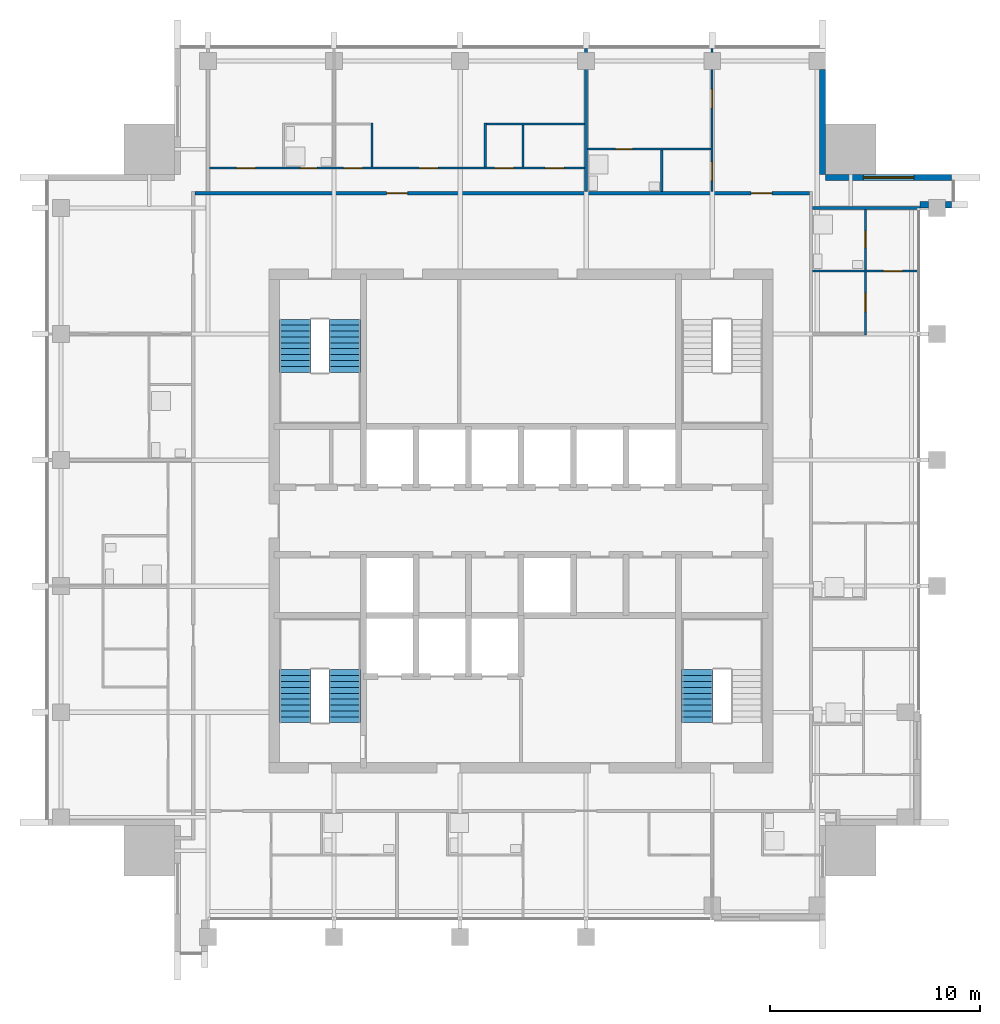
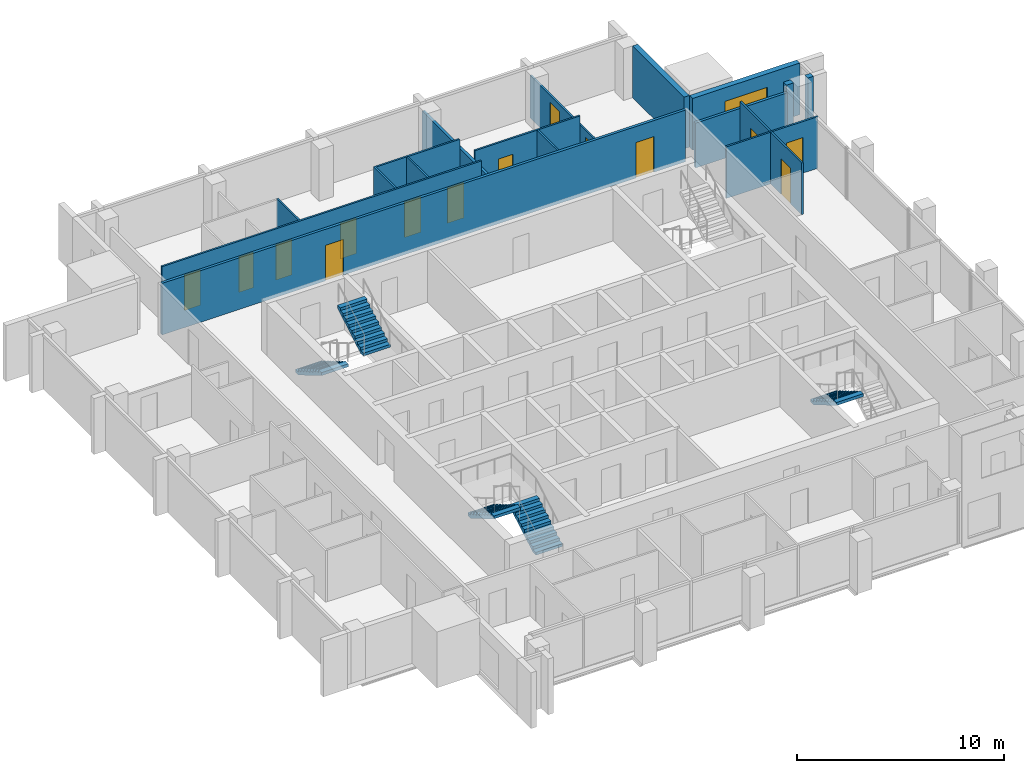
# One storey, part 10 of 13: 17 walls, 14 doors, 5 stair flights, 1 window, 15 openings, 3 elements without a shape of their own.
"""IFC4 building model written with IfcOpenShell, lengths in metres."""

from ifc_helpers import new_model, si_unit, direction, frame, frame_2d, origin, place, context, subcontext, project, spatial, polyline, rectangle, outline, extrude, material, layer, layer_set, type_object, element, fill, aggregate, save


model = new_model("IFC4")

# Units and contexts
model_context = context("Model", 3, precision=1e-05, world=origin(), true_north=direction((0.0, 1.0)))
body_context = subcontext(model_context, "Body", "Model", "MODEL_VIEW")
ifc_project = project(units=[si_unit("LENGTHUNIT", "METRE"), si_unit("AREAUNIT", "SQUARE_METRE"), si_unit("VOLUMEUNIT", "CUBIC_METRE"), si_unit("PLANEANGLEUNIT", "RADIAN"), si_unit("MASSUNIT", "GRAM", prefix="KILO")], contexts=[model_context])

# Site, building, storey
site_placement = place(None, origin())
site = spatial("IfcSite", under=ifc_project, at=site_placement, CompositionType="ELEMENT")
building_placement = place(site_placement, origin())
building = spatial("IfcBuilding", under=site, at=building_placement, Name="Amberfall Residences", CompositionType="ELEMENT")
storey_placement = place(building_placement, frame((0.0, 0.0, 271.89990234375)))
storey = spatial("IfcBuildingStorey", under=building, at=storey_placement, Name="L73", CompositionType="ELEMENT", Elevation=271.89990234375)

# Walls
ifc_material_1 = material(Name="Pale stone cladding on insulated backing", Category="masonry")
ifc_layer_1 = layer(ifc_material_1, 0.300048828125)
ifc_layer_set_1 = layer_set([ifc_layer_1], Name="Bronze clad wall 300")
wall_type_1 = type_object("IfcWallType", Name="Bronze clad wall 300", PredefinedType="SOLIDWALL", material=ifc_layer_set_1)
wall_1_placement = place(storey_placement, frame((93.5, 60.550048828125, 0.0), z_axis=(0.0, 0.0, 1.0), x_axis=(1.0, 0.0, 0.0)))
element("IfcWall", 1, at=wall_1_placement, inside=storey, type_object=wall_type_1, Name="External wall L73 E", PredefinedType="SOLIDWALL", context=body_context, shape_type="SweptSolid", body=[
    extrude(rectangle(XDim=0.39990234375, YDim=0.300048828125, at=frame_2d((0.199951171875, 0.0))), origin(), (0.0, 0.0, 1.0), 3.050048828125),
])
wall_2_placement = place(storey_placement, frame((94.699951171875, 60.550048828125, 0.0), z_axis=(0.0, 0.0, 1.0), x_axis=(1.0, 0.0, 0.0)))
element("IfcWall", 2, at=wall_2_placement, inside=storey, type_object=wall_type_1, Name="External wall L73 E", PredefinedType="SOLIDWALL", context=body_context, shape_type="SweptSolid", body=[
    extrude(rectangle(XDim=0.300048828125, YDim=0.300048828125, at=frame_2d((0.14990234375, 0.0))), origin(), (0.0, 0.0, 1.0), 3.050048828125),
])

# Wall, opening, window
wall_3_placement = place(storey_placement, frame((95.0, 61.85009765625, 0.0), z_axis=(0.0, 0.0, 1.0), x_axis=(-1.0, 0.0, 0.0)))
wall_3 = element("IfcWall", 3, at=wall_3_placement, inside=storey, type_object=wall_type_1, Name="External wall L73 NE", PredefinedType="SOLIDWALL", context=body_context, shape_type="SweptSolid", body=[
    extrude(rectangle(XDim=6.0, YDim=0.300048828125, at=frame_2d((3.0, 0.0))), origin(), (0.0, 0.0, 1.0), 3.050048828125),
])
opening_1_placement = place(wall_3_placement, frame((1.800048828125, 0.0, 0.14990234375)))
opening_1 = element("IfcOpeningElement", 4, at=opening_1_placement, cuts=wall_3, Name="Opening WN5", PredefinedType="OPENING", context=body_context, shape_type="SweptSolid", body=[
    extrude(rectangle(XDim=2.39990234375, YDim=2.10009765625, at=frame_2d((1.199951171875, 1.050048828125))), frame((0.0, 0.159912109375, 0.0), z_axis=(0.0, -1.0, 0.0), x_axis=(1.0, 0.0, 0.0)), (0.0, 0.0, 1.0), 0.320068359375),
])
ifc_material_2 = material(Name="Bronze aluminium framed glazing", Category="aluminium")
window_type = type_object("IfcWindowType", Name="Glazed opening 2400 x 2100 bronze", PartitioningType="DOUBLE_PANEL_VERTICAL", PredefinedType="WINDOW", material=ifc_material_2)
window_placement = place(opening_1_placement, origin())
window = element("IfcWindow", 5, at=window_placement, inside=storey, type_object=window_type, Name="Window L73 NE", OverallHeight=2.10009765625, OverallWidth=2.39990234375, PartitioningType="DOUBLE_PANEL_VERTICAL", PredefinedType="WINDOW", context=body_context, shape_type="SweptSolid", body=[
    extrude(rectangle(XDim=2.39990234375, YDim=2.10009765625, at=frame_2d((1.199951171875, 1.050048828125))), frame((0.0, 0.030029296875, 0.0), z_axis=(0.0, -1.0, 0.0), x_axis=(1.0, 0.0, 0.0)), (0.0, 0.0, 1.0), 0.06005859375),
])
fill(opening_1, window)

# Walls
wall_4_placement = place(storey_placement, frame((88.85009765625, 62.0, 0.0), z_axis=(0.0, 0.0, 1.0), x_axis=(0.0, 1.0, 0.0)))
element("IfcWall", 6, at=wall_4_placement, inside=storey, type_object=wall_type_1, Name="External wall L73 NE", PredefinedType="SOLIDWALL", context=body_context, shape_type="SweptSolid", body=[
    extrude(rectangle(XDim=5.0, YDim=0.300048828125, at=frame_2d((2.5, 0.0))), origin(), (0.0, 0.0, 1.0), 3.050048828125),
])
ifc_material_3 = material(Name="Gypsum board on metal stud")
ifc_layer_2 = layer(ifc_material_3, 0.10009765625)
ifc_layer_set_2 = layer_set([ifc_layer_2], Name="Flat partition 100")
wall_type_2 = type_object("IfcWallType", Name="Flat partition 100", PredefinedType="PARTITIONING", material=ifc_layer_set_2)
for number, where, z_axis, x_axis, name in (
    (7, (67.39990234375, 62.35009765625, 0.0), (0.0, 0.0, 1.0), (0.0, 1.0, 0.0), "Partition 008"),
    (8, (72.800048828125, 62.35009765625, 0.0), (0.0, 0.0, 1.0), (0.0, 1.0, 0.0), "Partition 010"),
):
    element("IfcWall", number, at=place(storey_placement, frame(where, z_axis=z_axis, x_axis=x_axis)), inside=storey, type_object=wall_type_2, Name=name, PredefinedType="PARTITIONING", context=body_context, shape_type="SweptSolid", body=[
        extrude(rectangle(XDim=2.099853515625, YDim=0.10009765625, at=frame_2d((1.0498046875, 0.0))), origin(), (0.0, 0.0, 1.0), 3.050048828125),
    ])
wall_5_placement = place(storey_placement, frame((74.60009765625, 62.35009765625, 0.0), z_axis=(0.0, 0.0, 1.0), x_axis=(0.0, 1.0, 0.0)))
element("IfcWall", 9, at=wall_5_placement, inside=storey, type_object=wall_type_2, Name="Partition 012", PredefinedType="PARTITIONING", context=body_context, shape_type="SweptSolid", body=[
    extrude(rectangle(XDim=2.0, YDim=0.10009765625, at=frame_2d((1.0, 0.0))), origin(), (0.0, 0.0, 1.0), 3.050048828125),
])
wall_6_placement = place(storey_placement, frame((81.199951171875, 61.175048828125, 0.0), z_axis=(0.0, 0.0, 1.0), x_axis=(0.0, 1.0, 0.0)))
element("IfcWall", 10, at=wall_6_placement, inside=storey, type_object=wall_type_2, Name="Partition 014", PredefinedType="PARTITIONING", context=body_context, shape_type="SweptSolid", body=[
    extrude(rectangle(XDim=1.974853515625, YDim=0.10009765625, at=frame_2d((0.9873046875, 0.0))), origin(), (0.0, 0.0, 1.0), 3.050048828125),
])

# Wall, openings, doors
wall_7_placement = place(storey_placement, frame((83.60009765625, 61.175048828125, 0.0), z_axis=(0.0, 0.0, 1.0), x_axis=(0.0, 1.0, 0.0)))
wall_7 = element("IfcWall", 11, at=wall_7_placement, inside=storey, type_object=wall_type_2, Name="Partition 016", PredefinedType="PARTITIONING", context=body_context, shape_type="SweptSolid", body=[
    extrude(rectangle(XDim=6.824951171875, YDim=0.10009765625, at=frame_2d((3.41259765625, 0.0))), origin(), (0.0, 0.0, 1.0), 2.51611328125),
])
opening_2_placement = place(wall_7_placement, frame((0.52490234375, 0.0, 0.0)))
opening_2 = element("IfcOpeningElement", 12, at=opening_2_placement, cuts=wall_7, Name="Opening D41", PredefinedType="OPENING", context=body_context, shape_type="SweptSolid", body=[
    extrude(rectangle(XDim=0.89990234375, YDim=2.10009765625, at=frame_2d((0.449951171875, 1.050048828125))), frame((0.0, 0.06005859375, 0.0), z_axis=(0.0, -1.0, 0.0), x_axis=(1.0, 0.0, 0.0)), (0.0, 0.0, 1.0), 0.1201171875),
])
opening_3_placement = place(wall_7_placement, frame((3.97509765625, 0.0, 0.0)))
opening_3 = element("IfcOpeningElement", 13, at=opening_3_placement, cuts=wall_7, Name="Opening D41", PredefinedType="OPENING", context=body_context, shape_type="SweptSolid", body=[
    extrude(rectangle(XDim=0.89990234375, YDim=2.10009765625, at=frame_2d((0.449951171875, 1.050048828125))), frame((0.0, 0.06005859375, 0.0), z_axis=(0.0, -1.0, 0.0), x_axis=(1.0, 0.0, 0.0)), (0.0, 0.0, 1.0), 0.1201171875),
])
ifc_material_4 = material(Name="Timber", Category="wood")
door_type_1 = type_object("IfcDoorType", Name="Internal door 900 x 2100", OperationType="SINGLE_SWING_LEFT", PredefinedType="DOOR", material=ifc_material_4)
door_1_placement = place(opening_2_placement, origin())
door_1 = element("IfcDoor", 14, at=door_1_placement, inside=storey, type_object=door_type_1, Name="Door 7306 kitchen", OperationType="SINGLE_SWING_LEFT", OverallHeight=2.10009765625, OverallWidth=0.89990234375, PredefinedType="DOOR", context=body_context, shape_type="SweptSolid", body=[
    extrude(rectangle(XDim=0.89990234375, YDim=2.10009765625, at=frame_2d((0.449951171875, 1.050048828125))), frame((0.0, 0.02490234375, 0.0), z_axis=(0.0, -1.0, 0.0), x_axis=(1.0, 0.0, 0.0)), (0.0, 0.0, 1.0), 0.050048828125),
])
fill(opening_2, door_1)
door_2_placement = place(opening_3_placement, origin())
door_2 = element("IfcDoor", 15, at=door_2_placement, inside=storey, type_object=door_type_1, Name="Door 7306 bedroom1", OperationType="SINGLE_SWING_LEFT", OverallHeight=2.10009765625, OverallWidth=0.89990234375, PredefinedType="DOOR", context=body_context, shape_type="SweptSolid", body=[
    extrude(rectangle(XDim=0.89990234375, YDim=2.10009765625, at=frame_2d((0.449951171875, 1.050048828125))), frame((0.0, 0.02490234375, 0.0), z_axis=(0.0, -1.0, 0.0), x_axis=(1.0, 0.0, 0.0)), (0.0, 0.0, 1.0), 0.050048828125),
])
fill(opening_3, door_2)

wall_8_placement = place(storey_placement, frame((90.89990234375, 54.35009765625, 0.0), z_axis=(0.0, 0.0, 1.0), x_axis=(0.0, 1.0, 0.0)))
wall_8 = element("IfcWall", 16, at=wall_8_placement, inside=storey, type_object=wall_type_2, Name="Partition 020", PredefinedType="PARTITIONING", context=body_context, shape_type="SweptSolid", body=[
    extrude(rectangle(XDim=5.974853515625, YDim=0.10009765625, at=frame_2d((2.9873046875, 0.0))), origin(), (0.0, 0.0, 1.0), 3.050048828125),
])
opening_4_placement = place(wall_8_placement, frame((1.10009765625, 0.0, 0.0)))
opening_4 = element("IfcOpeningElement", 17, at=opening_4_placement, cuts=wall_8, Name="Opening D41", PredefinedType="OPENING", context=body_context, shape_type="SweptSolid", body=[
    extrude(rectangle(XDim=0.89990234375, YDim=2.10009765625, at=frame_2d((0.449951171875, 1.050048828125))), frame((0.0, 0.06005859375, 0.0), z_axis=(0.0, -1.0, 0.0), x_axis=(1.0, 0.0, 0.0)), (0.0, 0.0, 1.0), 0.1201171875),
])
opening_5_placement = place(wall_8_placement, frame((4.14990234375, 0.0, 0.0)))
opening_5 = element("IfcOpeningElement", 18, at=opening_5_placement, cuts=wall_8, Name="Opening D42", PredefinedType="OPENING", context=body_context, shape_type="SweptSolid", body=[
    extrude(rectangle(XDim=0.800048828125, YDim=2.10009765625, at=frame_2d((0.39990234375, 1.050048828125))), frame((0.0, 0.06005859375, 0.0), z_axis=(0.0, -1.0, 0.0), x_axis=(1.0, 0.0, 0.0)), (0.0, 0.0, 1.0), 0.1201171875),
])
door_type_2 = type_object("IfcDoorType", Name="Bathroom door 800 x 2100", OperationType="SINGLE_SWING_LEFT", PredefinedType="DOOR", material=ifc_material_4)
door_3_placement = place(opening_5_placement, origin())
door_3 = element("IfcDoor", 19, at=door_3_placement, inside=storey, type_object=door_type_2, Name="Door 7304 bath2", OperationType="SINGLE_SWING_LEFT", OverallHeight=2.10009765625, OverallWidth=0.800048828125, PredefinedType="DOOR", context=body_context, shape_type="SweptSolid", body=[
    extrude(rectangle(XDim=0.800048828125, YDim=2.10009765625, at=frame_2d((0.39990234375, 1.050048828125))), frame((0.0, 0.02490234375, 0.0), z_axis=(0.0, -1.0, 0.0), x_axis=(1.0, 0.0, 0.0)), (0.0, 0.0, 1.0), 0.050048828125),
])
fill(opening_5, door_3)
door_4_placement = place(opening_4_placement, origin())
door_4 = element("IfcDoor", 20, at=door_4_placement, inside=storey, type_object=door_type_1, Name="Door 7304 kitchen", OperationType="SINGLE_SWING_LEFT", OverallHeight=2.10009765625, OverallWidth=0.89990234375, PredefinedType="DOOR", context=body_context, shape_type="SweptSolid", body=[
    extrude(rectangle(XDim=0.89990234375, YDim=2.10009765625, at=frame_2d((0.449951171875, 1.050048828125))), frame((0.0, 0.02490234375, 0.0), z_axis=(0.0, -1.0, 0.0), x_axis=(1.0, 0.0, 0.0)), (0.0, 0.0, 1.0), 0.050048828125),
])
fill(opening_4, door_4)

# Wall
wall_9_placement = place(storey_placement, frame((72.85009765625, 64.39990234375, 0.0), z_axis=(0.0, 0.0, 1.0), x_axis=(1.0, 0.0, 0.0)))
element("IfcWall", 21, at=wall_9_placement, inside=storey, type_object=wall_type_2, Name="Partition 022", PredefinedType="PARTITIONING", context=body_context, shape_type="SweptSolid", body=[
    extrude(rectangle(XDim=4.6748046875, YDim=0.10009765625, at=frame_2d((2.33740234375, 0.0))), origin(), (0.0, 0.0, 1.0), 3.050048828125),
])

# Wall, opening, door
wall_10_placement = place(storey_placement, frame((83.550048828125, 63.199951171875, 0.0), z_axis=(0.0, 0.0, 1.0), x_axis=(-1.0, 0.0, 0.0)))
wall_10 = element("IfcWall", 22, at=wall_10_placement, inside=storey, type_object=wall_type_2, Name="Partition 023", PredefinedType="PARTITIONING", context=body_context, shape_type="SweptSolid", body=[
    extrude(rectangle(XDim=5.875, YDim=0.10009765625, at=frame_2d((2.9375, 0.0))), origin(), (0.0, 0.0, 1.0), 3.050048828125),
])
opening_6_placement = place(wall_10_placement, frame((3.75, 0.0, 0.0)))
opening_6 = element("IfcOpeningElement", 23, at=opening_6_placement, cuts=wall_10, Name="Opening D42", PredefinedType="OPENING", context=body_context, shape_type="SweptSolid", body=[
    extrude(rectangle(XDim=0.800048828125, YDim=2.10009765625, at=frame_2d((0.39990234375, 1.050048828125))), frame((0.0, 0.06005859375, 0.0), z_axis=(0.0, -1.0, 0.0), x_axis=(1.0, 0.0, 0.0)), (0.0, 0.0, 1.0), 0.1201171875),
])
door_5_placement = place(opening_6_placement, origin())
door_5 = element("IfcDoor", 24, at=door_5_placement, inside=storey, type_object=door_type_2, Name="Door 7306 bath1", OperationType="SINGLE_SWING_LEFT", OverallHeight=2.10009765625, OverallWidth=0.800048828125, PredefinedType="DOOR", context=body_context, shape_type="SweptSolid", body=[
    extrude(rectangle(XDim=0.800048828125, YDim=2.10009765625, at=frame_2d((0.39990234375, 1.050048828125))), frame((0.0, 0.02490234375, 0.0), z_axis=(0.0, -1.0, 0.0), x_axis=(1.0, 0.0, 0.0)), (0.0, 0.0, 1.0), 0.050048828125),
])
fill(opening_6, door_5)

# Wall, openings, doors
wall_11_placement = place(storey_placement, frame((59.675048828125, 62.300048828125, 0.0), z_axis=(0.0, 0.0, 1.0), x_axis=(1.0, 0.0, 0.0)))
wall_11 = element("IfcWall", 25, at=wall_11_placement, inside=storey, type_object=wall_type_2, Name="Partition 024", PredefinedType="PARTITIONING", context=body_context, shape_type="SweptSolid", body=[
    extrude(rectangle(XDim=17.849853515625, YDim=0.10009765625, at=frame_2d((8.9248046875, 0.0))), origin(), (0.0, 0.0, 1.0), 3.050048828125),
])
opening_7_placement = place(wall_11_placement, frame((9.97509765625, 0.0, 0.0)))
opening_7 = element("IfcOpeningElement", 26, at=opening_7_placement, cuts=wall_11, Name="Opening D41", PredefinedType="OPENING", context=body_context, shape_type="SweptSolid", body=[
    extrude(rectangle(XDim=0.89990234375, YDim=2.10009765625, at=frame_2d((0.449951171875, 1.050048828125))), frame((0.0, 0.06005859375, 0.0), z_axis=(0.0, -1.0, 0.0), x_axis=(1.0, 0.0, 0.0)), (0.0, 0.0, 1.0), 0.1201171875),
])
opening_8_placement = place(wall_11_placement, frame((15.97509765625, 0.0, 0.0)))
opening_8 = element("IfcOpeningElement", 27, at=opening_8_placement, cuts=wall_11, Name="Opening D41", PredefinedType="OPENING", context=body_context, shape_type="SweptSolid", body=[
    extrude(rectangle(XDim=0.89990234375, YDim=2.10009765625, at=frame_2d((0.449951171875, 1.050048828125))), frame((0.0, 0.06005859375, 0.0), z_axis=(0.0, -1.0, 0.0), x_axis=(1.0, 0.0, 0.0)), (0.0, 0.0, 1.0), 0.1201171875),
])
opening_9_placement = place(wall_11_placement, frame((13.574951171875, 0.0, 0.0)))
opening_9 = element("IfcOpeningElement", 28, at=opening_9_placement, cuts=wall_11, Name="Opening D41", PredefinedType="OPENING", context=body_context, shape_type="SweptSolid", body=[
    extrude(rectangle(XDim=0.89990234375, YDim=2.10009765625, at=frame_2d((0.449951171875, 1.050048828125))), frame((0.0, 0.06005859375, 0.0), z_axis=(0.0, -1.0, 0.0), x_axis=(1.0, 0.0, 0.0)), (0.0, 0.0, 1.0), 0.1201171875),
])
opening_10_placement = place(wall_11_placement, frame((6.375, 0.0, 0.0)))
opening_10 = element("IfcOpeningElement", 29, at=opening_10_placement, cuts=wall_11, Name="Opening D41", PredefinedType="OPENING", context=body_context, shape_type="SweptSolid", body=[
    extrude(rectangle(XDim=0.89990234375, YDim=2.10009765625, at=frame_2d((0.449951171875, 1.050048828125))), frame((0.0, 0.06005859375, 0.0), z_axis=(0.0, -1.0, 0.0), x_axis=(1.0, 0.0, 0.0)), (0.0, 0.0, 1.0), 0.1201171875),
])
opening_11_placement = place(wall_11_placement, frame((1.27490234375, 0.0, 0.0)))
opening_11 = element("IfcOpeningElement", 30, at=opening_11_placement, cuts=wall_11, Name="Opening D41", PredefinedType="OPENING", context=body_context, shape_type="SweptSolid", body=[
    extrude(rectangle(XDim=0.89990234375, YDim=2.10009765625, at=frame_2d((0.449951171875, 1.050048828125))), frame((0.0, 0.06005859375, 0.0), z_axis=(0.0, -1.0, 0.0), x_axis=(1.0, 0.0, 0.0)), (0.0, 0.0, 1.0), 0.1201171875),
])
opening_12_placement = place(wall_11_placement, frame((4.324951171875, 0.0, 0.0)))
opening_12 = element("IfcOpeningElement", 31, at=opening_12_placement, cuts=wall_11, Name="Opening D42", PredefinedType="OPENING", context=body_context, shape_type="SweptSolid", body=[
    extrude(rectangle(XDim=0.800048828125, YDim=2.10009765625, at=frame_2d((0.39990234375, 1.050048828125))), frame((0.0, 0.06005859375, 0.0), z_axis=(0.0, -1.0, 0.0), x_axis=(1.0, 0.0, 0.0)), (0.0, 0.0, 1.0), 0.1201171875),
])
door_6_placement = place(opening_12_placement, origin())
door_6 = element("IfcDoor", 32, at=door_6_placement, inside=storey, type_object=door_type_2, Name="Door 7305 bath1", OperationType="SINGLE_SWING_LEFT", OverallHeight=2.10009765625, OverallWidth=0.800048828125, PredefinedType="DOOR", context=body_context, shape_type="SweptSolid", body=[
    extrude(rectangle(XDim=0.800048828125, YDim=2.10009765625, at=frame_2d((0.39990234375, 1.050048828125))), frame((0.0, 0.02490234375, 0.0), z_axis=(0.0, -1.0, 0.0), x_axis=(1.0, 0.0, 0.0)), (0.0, 0.0, 1.0), 0.050048828125),
])
fill(opening_12, door_6)
door_7_placement = place(opening_7_placement, origin())
door_7 = element("IfcDoor", 33, at=door_7_placement, inside=storey, type_object=door_type_1, Name="Door 7305 living", OperationType="SINGLE_SWING_LEFT", OverallHeight=2.10009765625, OverallWidth=0.89990234375, PredefinedType="DOOR", context=body_context, shape_type="SweptSolid", body=[
    extrude(rectangle(XDim=0.89990234375, YDim=2.10009765625, at=frame_2d((0.449951171875, 1.050048828125))), frame((0.0, 0.02490234375, 0.0), z_axis=(0.0, -1.0, 0.0), x_axis=(1.0, 0.0, 0.0)), (0.0, 0.0, 1.0), 0.050048828125),
])
fill(opening_7, door_7)
door_8_placement = place(opening_8_placement, origin())
door_8 = element("IfcDoor", 34, at=door_8_placement, inside=storey, type_object=door_type_1, Name="Door 7305 kitchen", OperationType="SINGLE_SWING_LEFT", OverallHeight=2.10009765625, OverallWidth=0.89990234375, PredefinedType="DOOR", context=body_context, shape_type="SweptSolid", body=[
    extrude(rectangle(XDim=0.89990234375, YDim=2.10009765625, at=frame_2d((0.449951171875, 1.050048828125))), frame((0.0, 0.02490234375, 0.0), z_axis=(0.0, -1.0, 0.0), x_axis=(1.0, 0.0, 0.0)), (0.0, 0.0, 1.0), 0.050048828125),
])
fill(opening_8, door_8)
door_9_placement = place(opening_9_placement, origin())
door_9 = element("IfcDoor", 35, at=door_9_placement, inside=storey, type_object=door_type_1, Name="Door 7305 utility", OperationType="SINGLE_SWING_LEFT", OverallHeight=2.10009765625, OverallWidth=0.89990234375, PredefinedType="DOOR", context=body_context, shape_type="SweptSolid", body=[
    extrude(rectangle(XDim=0.89990234375, YDim=2.10009765625, at=frame_2d((0.449951171875, 1.050048828125))), frame((0.0, 0.02490234375, 0.0), z_axis=(0.0, -1.0, 0.0), x_axis=(1.0, 0.0, 0.0)), (0.0, 0.0, 1.0), 0.050048828125),
])
fill(opening_9, door_9)
door_10_placement = place(opening_10_placement, origin())
door_10 = element("IfcDoor", 36, at=door_10_placement, inside=storey, type_object=door_type_1, Name="Door 7305 store", OperationType="SINGLE_SWING_LEFT", OverallHeight=2.10009765625, OverallWidth=0.89990234375, PredefinedType="DOOR", context=body_context, shape_type="SweptSolid", body=[
    extrude(rectangle(XDim=0.89990234375, YDim=2.10009765625, at=frame_2d((0.449951171875, 1.050048828125))), frame((0.0, 0.02490234375, 0.0), z_axis=(0.0, -1.0, 0.0), x_axis=(1.0, 0.0, 0.0)), (0.0, 0.0, 1.0), 0.050048828125),
])
fill(opening_10, door_10)
door_11_placement = place(opening_11_placement, origin())
door_11 = element("IfcDoor", 37, at=door_11_placement, inside=storey, type_object=door_type_1, Name="Door 7305 bedroom1", OperationType="SINGLE_SWING_LEFT", OverallHeight=2.10009765625, OverallWidth=0.89990234375, PredefinedType="DOOR", context=body_context, shape_type="SweptSolid", body=[
    extrude(rectangle(XDim=0.89990234375, YDim=2.10009765625, at=frame_2d((0.449951171875, 1.050048828125))), frame((0.0, 0.02490234375, 0.0), z_axis=(0.0, -1.0, 0.0), x_axis=(1.0, 0.0, 0.0)), (0.0, 0.0, 1.0), 0.050048828125),
])
fill(opening_11, door_11)

# Wall, opening, door
wall_12_placement = place(storey_placement, frame((88.375, 57.39990234375, 0.0), z_axis=(0.0, 0.0, 1.0), x_axis=(1.0, 0.0, 0.0)))
wall_12 = element("IfcWall", 38, at=wall_12_placement, inside=storey, type_object=wall_type_2, Name="Partition 025", PredefinedType="PARTITIONING", context=body_context, shape_type="SweptSolid", body=[
    extrude(rectangle(XDim=5.125, YDim=0.10009765625, at=frame_2d((2.5625, 0.0))), origin(), (0.0, 0.0, 1.0), 3.050048828125),
])
opening_13_placement = place(wall_12_placement, frame((3.375, 0.0, 0.0)))
opening_13 = element("IfcOpeningElement", 39, at=opening_13_placement, cuts=wall_12, Name="Opening D41", PredefinedType="OPENING", context=body_context, shape_type="SweptSolid", body=[
    extrude(rectangle(XDim=0.89990234375, YDim=2.10009765625, at=frame_2d((0.449951171875, 1.050048828125))), frame((0.0, 0.06005859375, 0.0), z_axis=(0.0, -1.0, 0.0), x_axis=(1.0, 0.0, 0.0)), (0.0, 0.0, 1.0), 0.1201171875),
])
door_12_placement = place(opening_13_placement, origin())
door_12 = element("IfcDoor", 40, at=door_12_placement, inside=storey, type_object=door_type_1, Name="Door 7304 bedroom2", OperationType="SINGLE_SWING_LEFT", OverallHeight=2.10009765625, OverallWidth=0.89990234375, PredefinedType="DOOR", context=body_context, shape_type="SweptSolid", body=[
    extrude(rectangle(XDim=0.89990234375, YDim=2.10009765625, at=frame_2d((0.449951171875, 1.050048828125))), frame((0.0, 0.02490234375, 0.0), z_axis=(0.0, -1.0, 0.0), x_axis=(1.0, 0.0, 0.0)), (0.0, 0.0, 1.0), 0.050048828125),
])
fill(opening_13, door_12)

# Wall
ifc_material_5 = material(Name="Blockwork, plastered", Category="masonry")
ifc_layer_3 = layer(ifc_material_5, 0.14990234375)
ifc_layer_set_3 = layer_set([ifc_layer_3], Name="Flat separating wall 150")
wall_type_3 = type_object("IfcWallType", Name="Flat separating wall 150", PredefinedType="PARTITIONING", material=ifc_layer_set_3)
wall_13_placement = place(storey_placement, frame((77.60009765625, 61.175048828125, 0.0), z_axis=(0.0, 0.0, 1.0), x_axis=(0.0, 1.0, 0.0)))
element("IfcWall", 41, at=wall_13_placement, inside=storey, type_object=wall_type_3, Name="Separating wall 045", PredefinedType="PARTITIONING", context=body_context, shape_type="SweptSolid", body=[
    extrude(rectangle(XDim=6.824951171875, YDim=0.14990234375, at=frame_2d((3.41259765625, 0.0))), origin(), (0.0, 0.0, 1.0), 2.51611328125),
])

# Wall, openings, doors
wall_14_placement = place(storey_placement, frame((58.97509765625, 61.10009765625, 0.0), z_axis=(0.0, 0.0, 1.0), x_axis=(1.0, 0.0, 0.0)))
wall_14 = element("IfcWall", 42, at=wall_14_placement, inside=storey, type_object=wall_type_3, Name="Separating wall 048", PredefinedType="PARTITIONING", context=body_context, shape_type="SweptSolid", body=[
    extrude(rectangle(XDim=29.25, YDim=0.14990234375, at=frame_2d((14.625, 0.0))), origin(), (0.0, 0.0, 1.0), 3.050048828125),
])
opening_14_placement = place(wall_14_placement, frame((9.125, 0.0, 0.0)))
opening_14 = element("IfcOpeningElement", 43, at=opening_14_placement, cuts=wall_14, Name="Opening D40", PredefinedType="OPENING", context=body_context, shape_type="SweptSolid", body=[
    extrude(rectangle(XDim=1.0, YDim=2.10009765625, at=frame_2d((0.5, 1.050048828125))), frame((0.0, 0.0849609375, 0.0), z_axis=(0.0, -1.0, 0.0), x_axis=(1.0, 0.0, 0.0)), (0.0, 0.0, 1.0), 0.169921875),
])
opening_15_placement = place(wall_14_placement, frame((26.47509765625, 0.0, 0.0)))
opening_15 = element("IfcOpeningElement", 44, at=opening_15_placement, cuts=wall_14, Name="Opening D40", PredefinedType="OPENING", context=body_context, shape_type="SweptSolid", body=[
    extrude(rectangle(XDim=1.0, YDim=2.10009765625, at=frame_2d((0.5, 1.050048828125))), frame((0.0, 0.0849609375, 0.0), z_axis=(0.0, -1.0, 0.0), x_axis=(1.0, 0.0, 0.0)), (0.0, 0.0, 1.0), 0.169921875),
])
ifc_material_6 = material(Name="Timber, fire-rated", Category="wood")
door_type_3 = type_object("IfcDoorType", Name="Flat entrance door FD60 1000 x 2100", OperationType="SINGLE_SWING_LEFT", PredefinedType="DOOR", material=ifc_material_6)
door_13_placement = place(opening_14_placement, origin())
door_13 = element("IfcDoor", 45, at=door_13_placement, inside=storey, type_object=door_type_3, Name="Door 7305 entrance", OperationType="SINGLE_SWING_LEFT", OverallHeight=2.10009765625, OverallWidth=1.0, PredefinedType="DOOR", context=body_context, shape_type="SweptSolid", body=[
    extrude(rectangle(XDim=1.0, YDim=2.10009765625, at=frame_2d((0.5, 1.050048828125))), frame((0.0, 0.02490234375, 0.0), z_axis=(0.0, -1.0, 0.0), x_axis=(1.0, 0.0, 0.0)), (0.0, 0.0, 1.0), 0.050048828125),
])
fill(opening_14, door_13)
door_14_placement = place(opening_15_placement, origin())
door_14 = element("IfcDoor", 46, at=door_14_placement, inside=storey, type_object=door_type_3, Name="Door 7306 entrance", OperationType="SINGLE_SWING_LEFT", OverallHeight=2.10009765625, OverallWidth=1.0, PredefinedType="DOOR", context=body_context, shape_type="SweptSolid", body=[
    extrude(rectangle(XDim=1.0, YDim=2.10009765625, at=frame_2d((0.5, 1.050048828125))), frame((0.0, 0.02490234375, 0.0), z_axis=(0.0, -1.0, 0.0), x_axis=(1.0, 0.0, 0.0)), (0.0, 0.0, 1.0), 0.050048828125),
])
fill(opening_15, door_14)

# Wall
wall_15_placement = place(storey_placement, frame((88.375, 60.39990234375, 0.0), z_axis=(0.0, 0.0, 1.0), x_axis=(1.0, 0.0, 0.0)))
element("IfcWall", 47, at=wall_15_placement, inside=storey, type_object=wall_type_3, Name="Separating wall 049", PredefinedType="PARTITIONING", context=body_context, shape_type="SweptSolid", body=[
    extrude(rectangle(XDim=5.125, YDim=0.14990234375, at=frame_2d((2.5625, 0.0))), origin(), (0.0, 0.0, 1.0), 2.647216796875),
])

# Stair, stair flights
ifc_material_7 = material(Name="Concrete C40", Category="concrete")
stair_type = type_object("IfcStairType", Name="Exit stair 20 risers 165.0 mm", PredefinedType="HALF_TURN_STAIR", material=ifc_material_7)
stair_1_placement = place(storey_placement, origin())
stair_1 = element("IfcStair", 48, at=stair_1_placement, inside=storey, type_object=stair_type, Name="L73 Exit stair 1", PredefinedType="HALF_TURN_STAIR")
stair_flight_type = type_object("IfcStairFlightType", Name="Stair flight 10 risers 165.0 mm", PredefinedType="STRAIGHT", material=ifc_material_7)
stair_flight_1_placement = place(storey_placement, frame((66.10009765625, 35.89990234375, 0.0), z_axis=(0.0, 0.0, 1.0), x_axis=(0.0, 1.0, 0.0)))
stair_flight_1 = element("IfcStairFlight", 49, at=stair_flight_1_placement, type_object=stair_flight_type, Name="ST3 flight 1", NumberOfRisers=10, NumberOfTreads=9, PredefinedType="STRAIGHT", RiserHeight=0.165, TreadLength=0.28, context=body_context, shape_type="SweptSolid", body=[
    extrude(outline(polyline([(0.0, 0.0), (0.0, 0.1650390625), (0.280029296875, 0.1650390625), (0.280029296875, 0.330078125), (0.56005859375, 0.330078125), (0.56005859375, 0.4951171875), (0.840087890625, 0.4951171875), (0.840087890625, 0.659912109375), (1.1201171875, 0.659912109375), (1.1201171875, 0.824951171875), (1.39990234375, 0.824951171875), (1.39990234375, 0.989990234375), (1.679931640625, 0.989990234375), (1.679931640625, 1.155029296875), (1.9599609375, 1.155029296875), (1.9599609375, 1.320068359375), (2.239990234375, 1.320068359375), (2.239990234375, 1.485107421875), (2.52001953125, 1.485107421875), (2.52001953125, 1.64990234375), (2.52001953125, 1.31103515625), (0.295166015625, 0.0), (0.0, 0.0)])), frame((0.0, 0.75, 0.0), z_axis=(0.0, -1.0, 0.0), x_axis=(1.0, 0.0, 0.0)), (0.0, 0.0, 1.0), 1.5),
])
stair_flight_2_placement = place(storey_placement, frame((63.75, 38.419921875, 1.650146484375), z_axis=(0.0, 0.0, 1.0), x_axis=(0.0, -1.0, 0.0)))
stair_flight_2 = element("IfcStairFlight", 50, at=stair_flight_2_placement, type_object=stair_flight_type, Name="ST3 flight 2", NumberOfRisers=10, NumberOfTreads=9, PredefinedType="STRAIGHT", RiserHeight=0.165, TreadLength=0.28, context=body_context, shape_type="SweptSolid", body=[
    extrude(outline(polyline([(0.0, 0.0), (0.0, 0.1650390625), (0.280029296875, 0.1650390625), (0.280029296875, 0.330078125), (0.56005859375, 0.330078125), (0.56005859375, 0.4951171875), (0.840087890625, 0.4951171875), (0.840087890625, 0.659912109375), (1.1201171875, 0.659912109375), (1.1201171875, 0.824951171875), (1.39990234375, 0.824951171875), (1.39990234375, 0.989990234375), (1.679931640625, 0.989990234375), (1.679931640625, 1.155029296875), (1.9599609375, 1.155029296875), (1.9599609375, 1.320068359375), (2.239990234375, 1.320068359375), (2.239990234375, 1.485107421875), (2.52001953125, 1.485107421875), (2.52001953125, 1.64990234375), (2.52001953125, 1.31103515625), (0.295166015625, 0.0), (0.0, 0.0)])), frame((0.0, 0.75, 0.0), z_axis=(0.0, -1.0, 0.0), x_axis=(1.0, 0.0, 0.0)), (0.0, 0.0, 1.0), 1.5),
])
aggregate(stair_1, [stair_flight_1, stair_flight_2])

# Stair, stair flight
stair_2_placement = place(storey_placement, origin())
stair_2 = element("IfcStair", 51, at=stair_2_placement, inside=storey, type_object=stair_type, Name="L73 Exit stair 2", PredefinedType="HALF_TURN_STAIR")
stair_flight_3_placement = place(storey_placement, frame((82.89990234375, 38.419921875, 1.650146484375), z_axis=(0.0, 0.0, 1.0), x_axis=(0.0, -1.0, 0.0)))
stair_flight_3 = element("IfcStairFlight", 52, at=stair_flight_3_placement, type_object=stair_flight_type, Name="ST3 flight 2", NumberOfRisers=10, NumberOfTreads=9, PredefinedType="STRAIGHT", RiserHeight=0.165, TreadLength=0.28, context=body_context, shape_type="SweptSolid", body=[
    extrude(outline(polyline([(0.0, 0.0), (0.0, 0.1650390625), (0.280029296875, 0.1650390625), (0.280029296875, 0.330078125), (0.56005859375, 0.330078125), (0.56005859375, 0.4951171875), (0.840087890625, 0.4951171875), (0.840087890625, 0.659912109375), (1.1201171875, 0.659912109375), (1.1201171875, 0.824951171875), (1.39990234375, 0.824951171875), (1.39990234375, 0.989990234375), (1.679931640625, 0.989990234375), (1.679931640625, 1.155029296875), (1.9599609375, 1.155029296875), (1.9599609375, 1.320068359375), (2.239990234375, 1.320068359375), (2.239990234375, 1.485107421875), (2.52001953125, 1.485107421875), (2.52001953125, 1.64990234375), (2.52001953125, 1.31103515625), (0.295166015625, 0.0), (0.0, 0.0)])), frame((0.0, 0.75, 0.0), z_axis=(0.0, -1.0, 0.0), x_axis=(1.0, 0.0, 0.0)), (0.0, 0.0, 1.0), 1.5),
])
aggregate(stair_2, [stair_flight_3])

# Stair, stair flights
stair_3_placement = place(storey_placement, origin())
stair_3 = element("IfcStair", 53, at=stair_3_placement, inside=storey, type_object=stair_type, Name="L73 Exit stair 4", PredefinedType="HALF_TURN_STAIR")
stair_flight_4_placement = place(storey_placement, frame((63.75, 55.10009765625, 0.0), z_axis=(0.0, 0.0, 1.0), x_axis=(0.0, -1.0, 0.0)))
stair_flight_4 = element("IfcStairFlight", 54, at=stair_flight_4_placement, type_object=stair_flight_type, Name="ST3 flight 1", NumberOfRisers=10, NumberOfTreads=9, PredefinedType="STRAIGHT", RiserHeight=0.165, TreadLength=0.28, context=body_context, shape_type="SweptSolid", body=[
    extrude(outline(polyline([(0.0, 0.0), (0.0, 0.1650390625), (0.280029296875, 0.1650390625), (0.280029296875, 0.330078125), (0.56005859375, 0.330078125), (0.56005859375, 0.4951171875), (0.840087890625, 0.4951171875), (0.840087890625, 0.659912109375), (1.1201171875, 0.659912109375), (1.1201171875, 0.824951171875), (1.39990234375, 0.824951171875), (1.39990234375, 0.989990234375), (1.679931640625, 0.989990234375), (1.679931640625, 1.155029296875), (1.9599609375, 1.155029296875), (1.9599609375, 1.320068359375), (2.239990234375, 1.320068359375), (2.239990234375, 1.485107421875), (2.52001953125, 1.485107421875), (2.52001953125, 1.64990234375), (2.52001953125, 1.31103515625), (0.295166015625, 0.0), (0.0, 0.0)])), frame((0.0, 0.75, 0.0), z_axis=(0.0, -1.0, 0.0), x_axis=(1.0, 0.0, 0.0)), (0.0, 0.0, 1.0), 1.5),
])
stair_flight_5_placement = place(storey_placement, frame((66.10009765625, 52.580078125, 1.650146484375), z_axis=(0.0, 0.0, 1.0), x_axis=(0.0, 1.0, 0.0)))
stair_flight_5 = element("IfcStairFlight", 55, at=stair_flight_5_placement, type_object=stair_flight_type, Name="ST3 flight 2", NumberOfRisers=10, NumberOfTreads=9, PredefinedType="STRAIGHT", RiserHeight=0.165, TreadLength=0.28, context=body_context, shape_type="SweptSolid", body=[
    extrude(outline(polyline([(0.0, 0.0), (0.0, 0.1650390625), (0.280029296875, 0.1650390625), (0.280029296875, 0.330078125), (0.56005859375, 0.330078125), (0.56005859375, 0.4951171875), (0.840087890625, 0.4951171875), (0.840087890625, 0.659912109375), (1.1201171875, 0.659912109375), (1.1201171875, 0.824951171875), (1.39990234375, 0.824951171875), (1.39990234375, 0.989990234375), (1.679931640625, 0.989990234375), (1.679931640625, 1.155029296875), (1.9599609375, 1.155029296875), (1.9599609375, 1.320068359375), (2.239990234375, 1.320068359375), (2.239990234375, 1.485107421875), (2.52001953125, 1.485107421875), (2.52001953125, 1.64990234375), (2.52001953125, 1.31103515625), (0.295166015625, 0.0), (0.0, 0.0)])), frame((0.0, 0.75, 0.0), z_axis=(0.0, -1.0, 0.0), x_axis=(1.0, 0.0, 0.0)), (0.0, 0.0, 1.0), 1.5),
])
aggregate(stair_3, [stair_flight_4, stair_flight_5])

save(model, "model.ifc")
